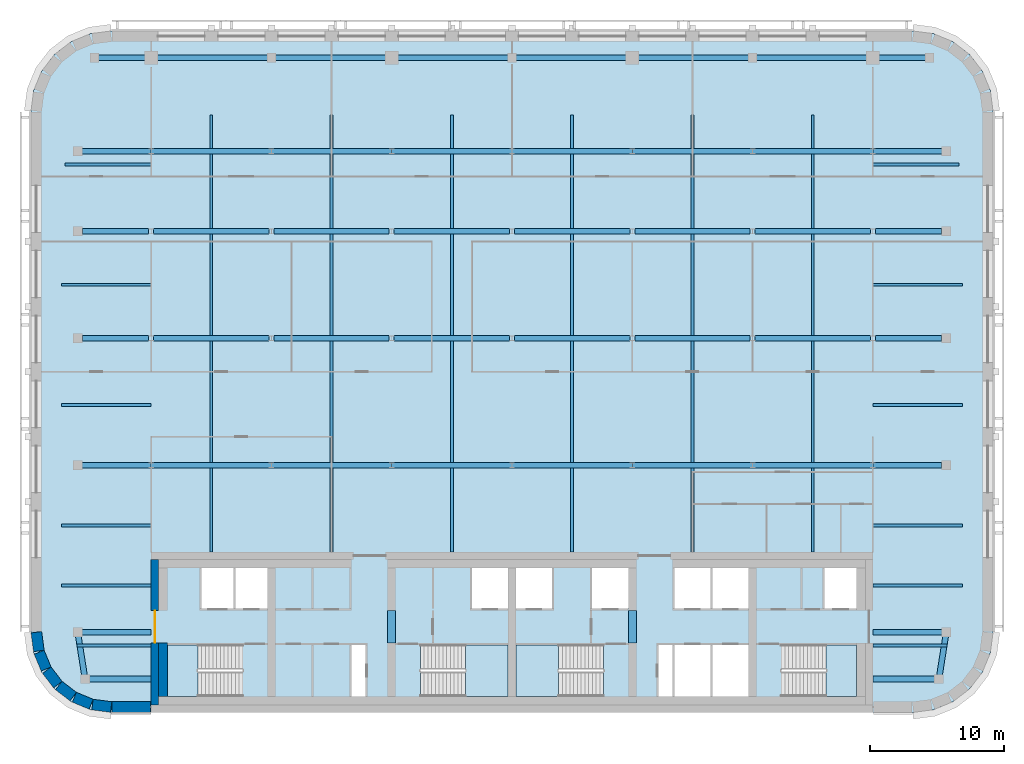
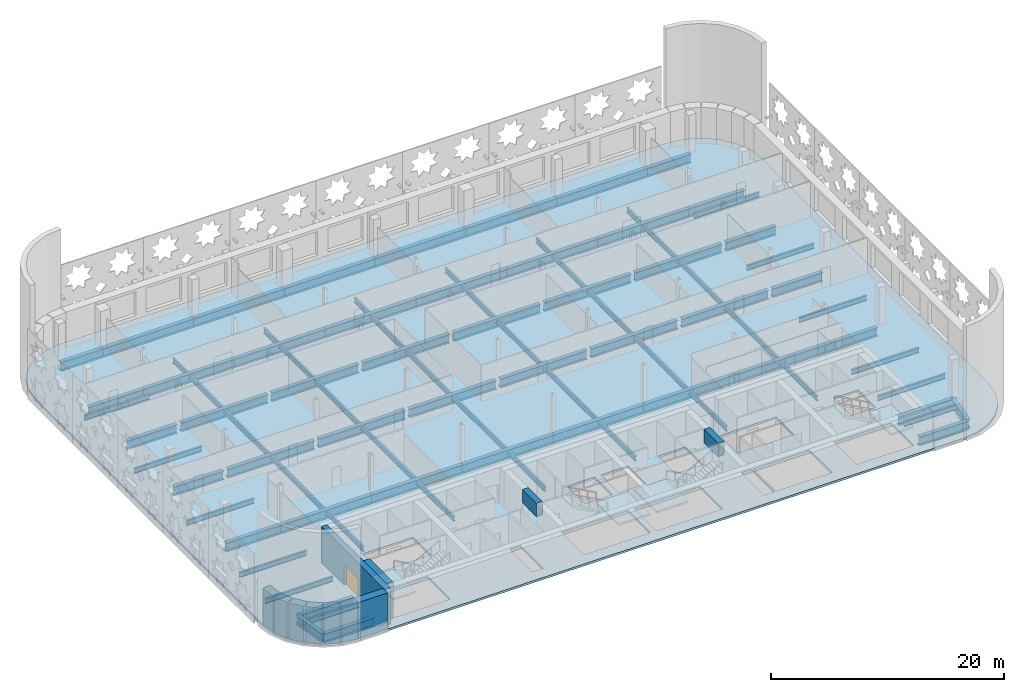
# One storey, part 5 of 16: 66 beams, 9 walls, 5 slabs, 1 door, 1 opening, 4 elements without a shape of their own.
"""IFC4 building model written with IfcOpenShell, lengths in metres."""

import ifcopenshell
import ifcopenshell.guid

model = None  # the IFC model being written
_history = None  # IfcOwnerHistory: only IFC2X3 demands one
_inside = {}  # id of a spatial element -> (the spatial element, [elements in it])
_under = {}  # id of a project, library or spatial element -> (it, [spatial elements below it])
_declared = {}  # id of a project -> (the project, [libraries it declares])
_typed = {}  # id of a type object -> (the type object, [elements of that type])
_made_of = {}  # id of a material, layer set ... -> (it, [elements and type objects made of it])


def new_model(schema):
    """Start an empty IFC model of exactly this schema.

    Asked for "IFC4X3", IfcOpenShell would pick the latest addendum, in which some entities
    have other attributes; the version numbers below select the first issue.
    IFC2X3 requires an IfcOwnerHistory on every rooted entity: one is made here for all.
    """
    global model, _history
    if schema == "IFC4X3":
        model = ifcopenshell.file(schema_version=(4, 3, 0, 0))
    else:
        model = ifcopenshell.file(schema=schema)
    _inside.clear()
    _under.clear()
    _declared.clear()
    _typed.clear()
    _made_of.clear()
    _history = None
    if model.schema == "IFC2X3":
        org = make("IfcOrganization", Name="unknown")
        user = make(
            "IfcPersonAndOrganization",
            ThePerson=make("IfcPerson", FamilyName="unknown"),
            TheOrganization=org,
        )
        app = make(
            "IfcApplication",
            ApplicationDeveloper=org,
            Version="unknown",
            ApplicationFullName="unknown",
            ApplicationIdentifier="unknown",
        )
        _history = make(
            "IfcOwnerHistory",
            OwningUser=user,
            OwningApplication=app,
            ChangeAction="ADDED",
            CreationDate=0,
        )
    return model


def make(cls, **values):
    """One entity of the class cls with the attributes given. An attribute that is None is left unset."""
    return model.create_entity(
        cls, **{name: value for name, value in values.items() if value is not None}
    )


def rooted(cls, **values):
    """An entity with a GlobalId (a new one), such as an element, a storey or a relation."""
    return make(cls, GlobalId=ifcopenshell.guid.new(), OwnerHistory=_history, **values)


def si_unit(unit_type, name, prefix=None):
    """IfcSIUnit, for example si_unit("LENGTHUNIT", "METRE", prefix="MILLI")."""
    return make("IfcSIUnit", UnitType=unit_type, Prefix=prefix, Name=name)


def assignment(units):
    """IfcUnitAssignment: the units of a project."""
    return None if units is None else make("IfcUnitAssignment", Units=units)


def point(xyz):
    """IfcCartesianPoint."""
    return None if xyz is None else make("IfcCartesianPoint", Coordinates=xyz)


def direction(xyz):
    """IfcDirection."""
    return None if xyz is None else make("IfcDirection", DirectionRatios=xyz)


def frame(location, z_axis=None, x_axis=None):
    """IfcAxis2Placement3D, a coordinate frame: its origin and axes. An axis left out is left unset."""
    return make(
        "IfcAxis2Placement3D",
        Location=point(location),
        Axis=direction(z_axis),
        RefDirection=direction(x_axis),
    )


def frame_2d(location, x_axis=None):
    """IfcAxis2Placement2D, a coordinate frame in the plane: its origin and x axis."""
    return make(
        "IfcAxis2Placement2D", Location=point(location), RefDirection=direction(x_axis)
    )


def origin():
    """The frame at (0, 0, 0) with its axes left unset."""
    return frame((0.0, 0.0, 0.0))


def origin_2d():
    """The frame at (0, 0) in the plane with its x axis left unset."""
    return frame_2d((0.0, 0.0))


def place(relative_to, where):
    """IfcLocalPlacement: puts the frame where relative to a parent placement (None: the world)."""
    return make(
        "IfcLocalPlacement", PlacementRelTo=relative_to, RelativePlacement=where
    )


def context(
    kind, dimensions, precision=None, world=None, true_north=None, identifier=None
):
    """IfcGeometricRepresentationContext, for example the 3D "Model" context."""
    return make(
        "IfcGeometricRepresentationContext",
        ContextIdentifier=identifier,
        ContextType=kind,
        CoordinateSpaceDimension=dimensions,
        Precision=precision,
        WorldCoordinateSystem=world,
        TrueNorth=true_north,
    )


def subcontext(parent, identifier, kind, view, scale=None):
    """IfcGeometricRepresentationSubContext, for example "Body" below "Model"."""
    return make(
        "IfcGeometricRepresentationSubContext",
        ContextIdentifier=identifier,
        ContextType=kind,
        ParentContext=parent,
        TargetScale=scale,
        TargetView=view,
    )


def project(units=None, contexts=None):
    """IfcProject with its units and contexts."""
    return rooted(
        "IfcProject",
        Name="project",
        RepresentationContexts=contexts,
        UnitsInContext=assignment(units),
    )


def spatial(cls, under=None, at=None, **own):
    """A site, building, storey or space (cls), placed at a placement, below another one or the project."""
    s = rooted(cls, ObjectPlacement=at, **own)
    if under is not None:
        _under.setdefault(under.id(), (under, []))[1].append(s)
    return s


def polyline(points):
    """IfcPolyline through the points."""
    return make("IfcPolyline", Points=[point(p) for p in points])


def profile(cls, at=None, kind="AREA", **sizes):
    """A parametric profile (cls). Its sizes go by their IFC names, for example OverallWidth=200.0."""
    return make(cls, ProfileType=kind, Position=at, **sizes)


def rectangle(**sizes):
    """IfcRectangleProfileDef."""
    return profile("IfcRectangleProfileDef", **sizes)


def i_section(**sizes):
    """IfcIShapeProfileDef."""
    return profile("IfcIShapeProfileDef", **sizes)


def outline(outer, holes=None, kind="AREA"):
    """IfcArbitraryClosedProfileDef: a profile drawn as a closed curve; with holes, ...WithVoids."""
    if holes is None:
        return make("IfcArbitraryClosedProfileDef", ProfileType=kind, OuterCurve=outer)
    return make(
        "IfcArbitraryProfileDefWithVoids",
        ProfileType=kind,
        OuterCurve=outer,
        InnerCurves=holes,
    )


def extrude(swept, where, along, depth):
    """IfcExtrudedAreaSolid: the profile swept, set in the frame where, extruded along a direction by depth."""
    return make(
        "IfcExtrudedAreaSolid",
        SweptArea=swept,
        Position=where,
        ExtrudedDirection=direction(along),
        Depth=depth,
    )


def shape(context_of_items, identifier, shape_type, items):
    """IfcShapeRepresentation: the items that make up one representation, for example the "Body"."""
    return make(
        "IfcShapeRepresentation",
        ContextOfItems=context_of_items,
        RepresentationIdentifier=identifier,
        RepresentationType=shape_type,
        Items=items,
    )


def material(Name=None, Category=None):
    """IfcMaterial."""
    return make("IfcMaterial", Name=Name, Category=Category)


def layer(
    of_material, thickness, ventilated=None, Name=None, Category=None, Priority=None
):
    """IfcMaterialLayer: one layer of a wall or slab, of a material (None: an air gap)."""
    return make(
        "IfcMaterialLayer",
        Material=of_material,
        LayerThickness=thickness,
        IsVentilated=ventilated,
        Name=Name,
        Category=Category,
        Priority=Priority,
    )


def layer_set(layers, Name=None):
    """IfcMaterialLayerSet."""
    return make("IfcMaterialLayerSet", MaterialLayers=layers, LayerSetName=Name)


def material_profile(
    of_material, cross_section, Name=None, Category=None, Priority=None
):
    """IfcMaterialProfile: a cross section and its material."""
    return make(
        "IfcMaterialProfile",
        Name=Name,
        Material=of_material,
        Profile=cross_section,
        Priority=Priority,
        Category=Category,
    )


def profile_set(profiles, Name=None, composite=None):
    """IfcMaterialProfileSet."""
    return make(
        "IfcMaterialProfileSet",
        Name=Name,
        MaterialProfiles=profiles,
        CompositeProfile=composite,
    )


def made_of(thing, what):
    """Note that an element or type object is made of a material, layer set ...; save() writes the relation."""
    if what is not None:
        _made_of.setdefault(what.id(), (what, []))[1].append(thing)
    return thing


def type_object(cls, material=None, **own):
    """A type object (cls), such as IfcWallType, which elements share."""
    return made_of(rooted(cls, **own), material)


def element(
    cls,
    number,
    at=None,
    inside=None,
    cuts=None,
    type_object=None,
    material=None,
    context=None,
    identifier="Body",
    shape_type=None,
    held_by="IfcProductDefinitionShape",
    body=None,
    shapes=None,
    **own,
):
    """One element of the class cls, such as IfcWall. Its Tag is "e" and its number.

    at: its placement. inside: the storey or other place that contains it. cuts: it is an
    opening in that element (IfcRelVoidsElement). A single representation is given by context,
    identifier, shape_type and body (its items); several are given by shapes. held_by: the class
    of the entity that holds the representations. save() writes the other relations.
    """
    e = rooted(cls, Tag="e%d" % number, ObjectPlacement=at, **own)
    if body is not None:
        shapes = [shape(context, identifier, shape_type, body)]
    if shapes is not None:
        e.Representation = make(held_by, Representations=shapes)
    if inside is not None:
        _inside.setdefault(inside.id(), (inside, []))[1].append(e)
    if cuts is not None:
        rooted(
            "IfcRelVoidsElement", RelatingBuildingElement=cuts, RelatedOpeningElement=e
        )
    if type_object is not None:
        _typed.setdefault(type_object.id(), (type_object, []))[1].append(e)
    return made_of(e, material)


def fill(opening, filler):
    """IfcRelFillsElement: the door or window that sits in an opening."""
    return rooted(
        "IfcRelFillsElement",
        RelatingOpeningElement=opening,
        RelatedBuildingElement=filler,
    )


def aggregate(whole, parts):
    """IfcRelAggregates: a whole, such as a stair, and the parts it consists of."""
    return rooted("IfcRelAggregates", RelatingObject=whole, RelatedObjects=parts)


def save(model, path):
    """Write the relations noted so far, then the file.

    IfcRelAggregates (storeys below a building ...), IfcRelContainedInSpatialStructure (elements
    in a storey), IfcRelDefinesByType, IfcRelAssociatesMaterial and IfcRelDeclares: one each for
    every whole, place, type object, material and project.
    """
    for whole, parts in _under.values():
        aggregate(whole, parts)
    for where, things in _inside.values():
        rooted(
            "IfcRelContainedInSpatialStructure",
            RelatedElements=things,
            RelatingStructure=where,
        )
    for kind, things in _typed.values():
        rooted("IfcRelDefinesByType", RelatedObjects=things, RelatingType=kind)
    for what, things in _made_of.values():
        rooted("IfcRelAssociatesMaterial", RelatedObjects=things, RelatingMaterial=what)
    for by, libraries in _declared.values():
        rooted("IfcRelDeclares", RelatingContext=by, RelatedDefinitions=libraries)
    model.write(path)


model = new_model("IFC4")

# Units and contexts
model_context = context("Model", 3, precision=1e-05, world=origin(), true_north=direction((0.0, 1.0)))
body_context = subcontext(model_context, "Body", "Model", "MODEL_VIEW")
ifc_project = project(units=[si_unit("LENGTHUNIT", "METRE"), si_unit("AREAUNIT", "SQUARE_METRE"), si_unit("VOLUMEUNIT", "CUBIC_METRE"), si_unit("PLANEANGLEUNIT", "RADIAN"), si_unit("MASSUNIT", "GRAM", prefix="KILO")], contexts=[model_context])

# Site, building, storey
site_placement = place(None, origin())
site = spatial("IfcSite", under=ifc_project, at=site_placement, CompositionType="ELEMENT")
building_placement = place(site_placement, origin())
building = spatial("IfcBuilding", under=site, at=building_placement, Name="Zellij Exchange Tower", CompositionType="ELEMENT")
storey_placement = place(building_placement, frame((0.0, 0.0, 272.5)))
storey = spatial("IfcBuildingStorey", under=building, at=storey_placement, Name="L64", CompositionType="ELEMENT", Elevation=272.5)

# Beams
ifc_material_1 = material(Name="Concrete C50/60", Category="concrete")
ifc_material_profile_1 = material_profile(ifc_material_1, rectangle(XDim=0.60009765625, YDim=1.3798828125, at=origin_2d()), Name="CORE-CB 600x1380 C50/60")
ifc_profile_set_1 = profile_set([ifc_material_profile_1], Name="Concrete C50/60")
beam_type_1 = type_object("IfcBeamType", Name="CORE-CB 600x1380 C50/60", PredefinedType="BEAM", material=ifc_profile_set_1)
for number, where, z_axis, x_axis, name in (
    (1, (-9.0, -8.800048828125, 3.090087890625), (0.0, 1.0, 0.0), (-1.0, 0.0, 0.0), "Core coupling beam x -9 L64"),
    (2, (9.0, -8.800048828125, 3.090087890625), (0.0, 1.0, 0.0), (-1.0, 0.0, 0.0), "Core coupling beam x 9 L64"),
):
    element("IfcBeam", number, at=place(storey_placement, frame(where, z_axis=z_axis, x_axis=x_axis)), inside=storey, type_object=beam_type_1, Name=name, PredefinedType="BEAM", context=body_context, shape_type="SweptSolid", body=[
        extrude(rectangle(XDim=0.60009765625, YDim=1.3798828125, at=origin_2d()), origin(), (0.0, 0.0, 1.0), 2.425048828125),
    ])
ifc_material_2 = material(Name="Structural steel ASTM A992 Gr 50", Category="steel")
ifc_material_profile_2 = material_profile(ifc_material_2, i_section(OverallWidth=0.209228515625, OverallDepth=0.533447265625, WebThickness=0.01025390625, FlangeThickness=0.015625, at=origin_2d()), Name="W21x62")
ifc_profile_set_2 = profile_set([ifc_material_profile_2], Name="Structural steel ASTM A992 Gr 50")
beam_type_2 = type_object("IfcBeamType", Name="STR-BEAM W21x62", PredefinedType="BEAM", material=ifc_profile_set_2)
for number, where, z_axis, x_axis, name in (
    (3, (-22.5, -2.0, -0.48681640625), (0.0, 1.0, 0.0), (-1.0, 0.0, 0.0), "B3"),
    (4, (-13.5, -2.0, -0.48681640625), (0.0, 1.0, 0.0), (-1.0, 0.0, 0.0), "B3"),
    (5, (-4.5, -2.0, -0.48681640625), (0.0, 1.0, 0.0), (-1.0, 0.0, 0.0), "B3"),
    (6, (4.5, -2.0, -0.48681640625), (0.0, 1.0, 0.0), (-1.0, 0.0, 0.0), "B3"),
    (7, (13.5, -2.0, -0.48681640625), (0.0, 1.0, 0.0), (-1.0, 0.0, 0.0), "B3"),
    (8, (22.5, -2.0, -0.48681640625), (0.0, 1.0, 0.0), (-1.0, 0.0, 0.0), "B3"),
):
    element("IfcBeam", number, at=place(storey_placement, frame(where, z_axis=z_axis, x_axis=x_axis)), inside=storey, type_object=beam_type_2, Name=name, PredefinedType="BEAM", context=body_context, shape_type="SweptSolid", body=[
        extrude(i_section(OverallWidth=0.209228515625, OverallDepth=0.533447265625, WebThickness=0.01025390625, FlangeThickness=0.015625, at=origin_2d()), origin(), (0.0, 0.0, 1.0), 32.699951171875),
    ])
beam_1_placement = place(storey_placement, frame((-32.5576171875, -9.0, -0.48681640625), z_axis=(1.0, 0.0, 0.0), x_axis=(0.0, 1.0, 0.0)))
element("IfcBeam", 9, at=beam_1_placement, inside=storey, type_object=beam_type_2, Name="B3", PredefinedType="BEAM", context=body_context, shape_type="SweptSolid", body=[
    extrude(i_section(OverallWidth=0.209228515625, OverallDepth=0.533447265625, WebThickness=0.01025390625, FlangeThickness=0.015625, at=origin_2d()), origin(), (0.0, 0.0, 1.0), 5.5576171875),
])
for number, where, z_axis, x_axis, name in (
    (10, (-33.699951171875, -4.5, -0.48681640625), (1.0, 0.0, 0.0), (0.0, 1.0, 0.0), "B3"),
    (11, (-33.699951171875, 0.0, -0.48681640625), (1.0, 0.0, 0.0), (0.0, 1.0, 0.0), "B3"),
    (12, (-33.699951171875, 9.0, -0.48681640625), (1.0, 0.0, 0.0), (0.0, 1.0, 0.0), "B3"),
    (13, (-33.699951171875, 18.0, -0.48681640625), (1.0, 0.0, 0.0), (0.0, 1.0, 0.0), "B3"),
):
    element("IfcBeam", number, at=place(storey_placement, frame(where, z_axis=z_axis, x_axis=x_axis)), inside=storey, type_object=beam_type_2, Name=name, PredefinedType="BEAM", context=body_context, shape_type="SweptSolid", body=[
        extrude(i_section(OverallWidth=0.209228515625, OverallDepth=0.533447265625, WebThickness=0.01025390625, FlangeThickness=0.015625, at=origin_2d()), origin(), (0.0, 0.0, 1.0), 6.699951171875),
    ])
beam_2_placement = place(storey_placement, frame((-33.451904296875, 27.0, -0.48681640625), z_axis=(1.0, 0.0, 0.0), x_axis=(0.0, 1.0, 0.0)))
element("IfcBeam", 14, at=beam_2_placement, inside=storey, type_object=beam_type_2, Name="B3", PredefinedType="BEAM", context=body_context, shape_type="SweptSolid", body=[
    extrude(i_section(OverallWidth=0.209228515625, OverallDepth=0.533447265625, WebThickness=0.01025390625, FlangeThickness=0.015625, at=origin_2d()), origin(), (0.0, 0.0, 1.0), 6.451904296875),
])
beam_3_placement = place(storey_placement, frame((27.0, -9.0, -0.48681640625), z_axis=(1.0, 0.0, 0.0), x_axis=(0.0, 1.0, 0.0)))
element("IfcBeam", 15, at=beam_3_placement, inside=storey, type_object=beam_type_2, Name="B3", PredefinedType="BEAM", context=body_context, shape_type="SweptSolid", body=[
    extrude(i_section(OverallWidth=0.209228515625, OverallDepth=0.533447265625, WebThickness=0.01025390625, FlangeThickness=0.015625, at=origin_2d()), origin(), (0.0, 0.0, 1.0), 5.5576171875),
])
for number, where, z_axis, x_axis, name in (
    (16, (27.0, -4.5, -0.48681640625), (1.0, 0.0, 0.0), (0.0, 1.0, 0.0), "B3"),
    (17, (27.0, 0.0, -0.48681640625), (1.0, 0.0, 0.0), (0.0, 1.0, 0.0), "B3"),
    (18, (27.0, 9.0, -0.48681640625), (1.0, 0.0, 0.0), (0.0, 1.0, 0.0), "B3"),
    (19, (27.0, 18.0, -0.48681640625), (1.0, 0.0, 0.0), (0.0, 1.0, 0.0), "B3"),
):
    element("IfcBeam", number, at=place(storey_placement, frame(where, z_axis=z_axis, x_axis=x_axis)), inside=storey, type_object=beam_type_2, Name=name, PredefinedType="BEAM", context=body_context, shape_type="SweptSolid", body=[
        extrude(i_section(OverallWidth=0.209228515625, OverallDepth=0.533447265625, WebThickness=0.01025390625, FlangeThickness=0.015625, at=origin_2d()), origin(), (0.0, 0.0, 1.0), 6.699951171875),
    ])
beam_4_placement = place(storey_placement, frame((27.0, 27.0, -0.48681640625), z_axis=(1.0, 0.0, 0.0), x_axis=(0.0, 1.0, 0.0)))
element("IfcBeam", 20, at=beam_4_placement, inside=storey, type_object=beam_type_2, Name="B3", PredefinedType="BEAM", context=body_context, shape_type="SweptSolid", body=[
    extrude(i_section(OverallWidth=0.209228515625, OverallDepth=0.533447265625, WebThickness=0.01025390625, FlangeThickness=0.015625, at=origin_2d()), origin(), (0.0, 0.0, 1.0), 6.451904296875),
])
ifc_material_3 = material(Name="Structural steel ASTM A913 Gr 65", Category="steel")
ifc_material_profile_3 = material_profile(ifc_material_3, i_section(OverallWidth=0.424072265625, OverallDepth=0.93212890625, WebThickness=0.02392578125, FlangeThickness=0.042724609375, at=origin_2d()), Name="W36x300")
ifc_profile_set_3 = profile_set([ifc_material_profile_3], Name="Structural steel ASTM A913 Gr 65")
beam_type_3 = type_object("IfcBeamType", Name="STR-EDGE GIRDER W36x300", PredefinedType="BEAM", material=ifc_profile_set_3)
for number, where, z_axis, x_axis, name in (
    (21, (-31.949951171875, -11.5, -0.68603515625), (-0.155251283593, 0.987875011802, 0.0), (-0.987875011802, -0.155251283593, 0.0), "EG5"),
    (22, (31.949951171875, -11.5, -0.68603515625), (0.155251283593, 0.987875011802, 0.0), (-0.987875011802, 0.155251283593, 0.0), "EG5"),
):
    element("IfcBeam", number, at=place(storey_placement, frame(where, z_axis=z_axis, x_axis=x_axis)), inside=storey, type_object=beam_type_3, Name=name, PredefinedType="BEAM", context=body_context, shape_type="SweptSolid", body=[
        extrude(i_section(OverallWidth=0.424072265625, OverallDepth=0.93212890625, WebThickness=0.02392578125, FlangeThickness=0.042724609375, at=origin_2d()), origin(), (0.0, 0.0, 1.0), 3.54296875),
    ])
ifc_material_profile_4 = material_profile(ifc_material_3, i_section(OverallWidth=0.424072265625, OverallDepth=0.93212890625, WebThickness=0.02392578125, FlangeThickness=0.042724609375, at=origin_2d()), Name="W36x300")
ifc_profile_set_4 = profile_set([ifc_material_profile_4], Name="Structural steel ASTM A913 Gr 65")
beam_type_4 = type_object("IfcBeamType", Name="STR-GIRDER W36x300", PredefinedType="BEAM", material=ifc_profile_set_4)
for number, where, z_axis, x_axis, name in (
    (23, (-31.949951171875, -11.5, -0.68603515625), (1.0, 0.0, 0.0), (0.0, 1.0, 0.0), "G5"),
    (24, (27.0, -11.5, -0.68603515625), (1.0, 0.0, 0.0), (0.0, 1.0, 0.0), "G5"),
):
    element("IfcBeam", number, at=place(storey_placement, frame(where, z_axis=z_axis, x_axis=x_axis)), inside=storey, type_object=beam_type_4, Name=name, PredefinedType="BEAM", context=body_context, shape_type="SweptSolid", body=[
        extrude(i_section(OverallWidth=0.424072265625, OverallDepth=0.93212890625, WebThickness=0.02392578125, FlangeThickness=0.042724609375, at=origin_2d()), origin(), (0.0, 0.0, 1.0), 4.949951171875),
    ])
for number, where, z_axis, x_axis, name in (
    (25, (-32.5, -8.0, -0.68603515625), (1.0, 0.0, 0.0), (0.0, 1.0, 0.0), "G5"),
    (26, (27.0, -8.0, -0.68603515625), (1.0, 0.0, 0.0), (0.0, 1.0, 0.0), "G5"),
    (27, (-32.5, 4.5, -0.68603515625), (1.0, 0.0, 0.0), (0.0, 1.0, 0.0), "G5"),
):
    element("IfcBeam", number, at=place(storey_placement, frame(where, z_axis=z_axis, x_axis=x_axis)), inside=storey, type_object=beam_type_4, Name=name, PredefinedType="BEAM", context=body_context, shape_type="SweptSolid", body=[
        extrude(i_section(OverallWidth=0.424072265625, OverallDepth=0.93212890625, WebThickness=0.02392578125, FlangeThickness=0.042724609375, at=origin_2d()), origin(), (0.0, 0.0, 1.0), 5.5),
    ])
for number, where, z_axis, x_axis, name in (
    (28, (-27.0, 4.5, -0.68603515625), (1.0, 0.0, 0.0), (0.0, 1.0, 0.0), "G5"),
    (29, (-18.0, 4.5, -0.68603515625), (1.0, 0.0, 0.0), (0.0, 1.0, 0.0), "G5"),
    (30, (-9.0, 4.5, -0.68603515625), (1.0, 0.0, 0.0), (0.0, 1.0, 0.0), "G5"),
    (31, (0.0, 4.5, -0.68603515625), (1.0, 0.0, 0.0), (0.0, 1.0, 0.0), "G5"),
    (32, (9.0, 4.5, -0.68603515625), (1.0, 0.0, 0.0), (0.0, 1.0, 0.0), "G5"),
    (33, (18.0, 4.5, -0.68603515625), (1.0, 0.0, 0.0), (0.0, 1.0, 0.0), "G5"),
):
    element("IfcBeam", number, at=place(storey_placement, frame(where, z_axis=z_axis, x_axis=x_axis)), inside=storey, type_object=beam_type_4, Name=name, PredefinedType="BEAM", context=body_context, shape_type="SweptSolid", body=[
        extrude(i_section(OverallWidth=0.424072265625, OverallDepth=0.93212890625, WebThickness=0.02392578125, FlangeThickness=0.042724609375, at=origin_2d()), origin(), (0.0, 0.0, 1.0), 9.0),
    ])
beam_5_placement = place(storey_placement, frame((27.0, 4.5, -0.68603515625), z_axis=(1.0, 0.0, 0.0), x_axis=(0.0, 1.0, 0.0)))
element("IfcBeam", 34, at=beam_5_placement, inside=storey, type_object=beam_type_4, Name="G5", PredefinedType="BEAM", context=body_context, shape_type="SweptSolid", body=[
    extrude(i_section(OverallWidth=0.424072265625, OverallDepth=0.93212890625, WebThickness=0.02392578125, FlangeThickness=0.042724609375, at=origin_2d()), origin(), (0.0, 0.0, 1.0), 5.14990234375),
])
beam_6_placement = place(storey_placement, frame((-32.14990234375, 14.0, -0.68603515625), z_axis=(1.0, 0.0, 0.0), x_axis=(0.0, 1.0, 0.0)))
element("IfcBeam", 35, at=beam_6_placement, inside=storey, type_object=beam_type_4, Name="G5", PredefinedType="BEAM", context=body_context, shape_type="SweptSolid", body=[
    extrude(i_section(OverallWidth=0.424072265625, OverallDepth=0.93212890625, WebThickness=0.02392578125, FlangeThickness=0.042724609375, at=origin_2d()), origin(), (0.0, 0.0, 1.0), 4.963134765625),
])
for number, where, z_axis, x_axis, name in (
    (36, (-26.813232421875, 14.0, -0.68603515625), (1.0, 0.0, 0.0), (0.0, 1.0, 0.0), "G5"),
    (37, (-17.813232421875, 14.0, -0.68603515625), (1.0, 0.0, 0.0), (0.0, 1.0, 0.0), "G5"),
    (38, (-8.813232421875, 14.0, -0.68603515625), (1.0, 0.0, 0.0), (0.0, 1.0, 0.0), "G5"),
    (39, (0.186767578125, 14.0, -0.68603515625), (1.0, 0.0, 0.0), (0.0, 1.0, 0.0), "G5"),
    (40, (9.186767578125, 14.0, -0.68603515625), (1.0, 0.0, 0.0), (0.0, 1.0, 0.0), "G5"),
    (41, (18.186767578125, 14.0, -0.68603515625), (1.0, 0.0, 0.0), (0.0, 1.0, 0.0), "G5"),
):
    element("IfcBeam", number, at=place(storey_placement, frame(where, z_axis=z_axis, x_axis=x_axis)), inside=storey, type_object=beam_type_4, Name=name, PredefinedType="BEAM", context=body_context, shape_type="SweptSolid", body=[
        extrude(i_section(OverallWidth=0.424072265625, OverallDepth=0.93212890625, WebThickness=0.02392578125, FlangeThickness=0.042724609375, at=origin_2d()), origin(), (0.0, 0.0, 1.0), 8.62646484375),
    ])
for number, where, z_axis, x_axis, name in (
    (42, (27.186767578125, 14.0, -0.68603515625), (1.0, 0.0, 0.0), (0.0, 1.0, 0.0), "G5"),
    (43, (-32.14990234375, 22.0, -0.68603515625), (1.0, 0.0, 0.0), (0.0, 1.0, 0.0), "G5"),
):
    element("IfcBeam", number, at=place(storey_placement, frame(where, z_axis=z_axis, x_axis=x_axis)), inside=storey, type_object=beam_type_4, Name=name, PredefinedType="BEAM", context=body_context, shape_type="SweptSolid", body=[
        extrude(i_section(OverallWidth=0.424072265625, OverallDepth=0.93212890625, WebThickness=0.02392578125, FlangeThickness=0.042724609375, at=origin_2d()), origin(), (0.0, 0.0, 1.0), 4.963134765625),
    ])
for number, where, z_axis, x_axis, name in (
    (44, (-26.813232421875, 22.0, -0.68603515625), (1.0, 0.0, 0.0), (0.0, 1.0, 0.0), "G5"),
    (45, (-17.813232421875, 22.0, -0.68603515625), (1.0, 0.0, 0.0), (0.0, 1.0, 0.0), "G5"),
    (46, (-8.813232421875, 22.0, -0.68603515625), (1.0, 0.0, 0.0), (0.0, 1.0, 0.0), "G5"),
    (47, (0.186767578125, 22.0, -0.68603515625), (1.0, 0.0, 0.0), (0.0, 1.0, 0.0), "G5"),
    (48, (9.186767578125, 22.0, -0.68603515625), (1.0, 0.0, 0.0), (0.0, 1.0, 0.0), "G5"),
    (49, (18.186767578125, 22.0, -0.68603515625), (1.0, 0.0, 0.0), (0.0, 1.0, 0.0), "G5"),
):
    element("IfcBeam", number, at=place(storey_placement, frame(where, z_axis=z_axis, x_axis=x_axis)), inside=storey, type_object=beam_type_4, Name=name, PredefinedType="BEAM", context=body_context, shape_type="SweptSolid", body=[
        extrude(i_section(OverallWidth=0.424072265625, OverallDepth=0.93212890625, WebThickness=0.02392578125, FlangeThickness=0.042724609375, at=origin_2d()), origin(), (0.0, 0.0, 1.0), 8.62646484375),
    ])
beam_7_placement = place(storey_placement, frame((27.186767578125, 22.0, -0.68603515625), z_axis=(1.0, 0.0, 0.0), x_axis=(0.0, 1.0, 0.0)))
element("IfcBeam", 50, at=beam_7_placement, inside=storey, type_object=beam_type_4, Name="G5", PredefinedType="BEAM", context=body_context, shape_type="SweptSolid", body=[
    extrude(i_section(OverallWidth=0.424072265625, OverallDepth=0.93212890625, WebThickness=0.02392578125, FlangeThickness=0.042724609375, at=origin_2d()), origin(), (0.0, 0.0, 1.0), 4.963134765625),
])
beam_8_placement = place(storey_placement, frame((-32.5, 28.0, -0.68603515625), z_axis=(1.0, 0.0, 0.0), x_axis=(0.0, 1.0, 0.0)))
element("IfcBeam", 51, at=beam_8_placement, inside=storey, type_object=beam_type_4, Name="G5", PredefinedType="BEAM", context=body_context, shape_type="SweptSolid", body=[
    extrude(i_section(OverallWidth=0.424072265625, OverallDepth=0.93212890625, WebThickness=0.02392578125, FlangeThickness=0.042724609375, at=origin_2d()), origin(), (0.0, 0.0, 1.0), 5.5),
])
for number, where, z_axis, x_axis, name in (
    (52, (-27.0, 28.0, -0.68603515625), (1.0, 0.0, 0.0), (0.0, 1.0, 0.0), "G5"),
    (53, (-18.0, 28.0, -0.68603515625), (1.0, 0.0, 0.0), (0.0, 1.0, 0.0), "G5"),
    (54, (-9.0, 28.0, -0.68603515625), (1.0, 0.0, 0.0), (0.0, 1.0, 0.0), "G5"),
    (55, (0.0, 28.0, -0.68603515625), (1.0, 0.0, 0.0), (0.0, 1.0, 0.0), "G5"),
    (56, (9.0, 28.0, -0.68603515625), (1.0, 0.0, 0.0), (0.0, 1.0, 0.0), "G5"),
    (57, (18.0, 28.0, -0.68603515625), (1.0, 0.0, 0.0), (0.0, 1.0, 0.0), "G5"),
):
    element("IfcBeam", number, at=place(storey_placement, frame(where, z_axis=z_axis, x_axis=x_axis)), inside=storey, type_object=beam_type_4, Name=name, PredefinedType="BEAM", context=body_context, shape_type="SweptSolid", body=[
        extrude(i_section(OverallWidth=0.424072265625, OverallDepth=0.93212890625, WebThickness=0.02392578125, FlangeThickness=0.042724609375, at=origin_2d()), origin(), (0.0, 0.0, 1.0), 9.0),
    ])
beam_9_placement = place(storey_placement, frame((27.0, 28.0, -0.68603515625), z_axis=(1.0, 0.0, 0.0), x_axis=(0.0, 1.0, 0.0)))
element("IfcBeam", 58, at=beam_9_placement, inside=storey, type_object=beam_type_4, Name="G5", PredefinedType="BEAM", context=body_context, shape_type="SweptSolid", body=[
    extrude(i_section(OverallWidth=0.424072265625, OverallDepth=0.93212890625, WebThickness=0.02392578125, FlangeThickness=0.042724609375, at=origin_2d()), origin(), (0.0, 0.0, 1.0), 5.5),
])
beam_10_placement = place(storey_placement, frame((-31.25, 35.0, -0.68603515625), z_axis=(1.0, 0.0, 0.0), x_axis=(0.0, 1.0, 0.0)))
element("IfcBeam", 59, at=beam_10_placement, inside=storey, type_object=beam_type_4, Name="G5", PredefinedType="BEAM", context=body_context, shape_type="SweptSolid", body=[
    extrude(i_section(OverallWidth=0.424072265625, OverallDepth=0.93212890625, WebThickness=0.02392578125, FlangeThickness=0.042724609375, at=origin_2d()), origin(), (0.0, 0.0, 1.0), 4.25),
])
for number, where, z_axis, x_axis, name in (
    (60, (-27.0, 35.0, -0.68603515625), (1.0, 0.0, 0.0), (0.0, 1.0, 0.0), "G5"),
    (61, (-18.0, 35.0, -0.68603515625), (1.0, 0.0, 0.0), (0.0, 1.0, 0.0), "G5"),
    (62, (-9.0, 35.0, -0.68603515625), (1.0, 0.0, 0.0), (0.0, 1.0, 0.0), "G5"),
    (63, (0.0, 35.0, -0.68603515625), (1.0, 0.0, 0.0), (0.0, 1.0, 0.0), "G5"),
    (64, (9.0, 35.0, -0.68603515625), (1.0, 0.0, 0.0), (0.0, 1.0, 0.0), "G5"),
    (65, (18.0, 35.0, -0.68603515625), (1.0, 0.0, 0.0), (0.0, 1.0, 0.0), "G5"),
):
    element("IfcBeam", number, at=place(storey_placement, frame(where, z_axis=z_axis, x_axis=x_axis)), inside=storey, type_object=beam_type_4, Name=name, PredefinedType="BEAM", context=body_context, shape_type="SweptSolid", body=[
        extrude(i_section(OverallWidth=0.424072265625, OverallDepth=0.93212890625, WebThickness=0.02392578125, FlangeThickness=0.042724609375, at=origin_2d()), origin(), (0.0, 0.0, 1.0), 9.0),
    ])
beam_11_placement = place(storey_placement, frame((27.0, 35.0, -0.68603515625), z_axis=(1.0, 0.0, 0.0), x_axis=(0.0, 1.0, 0.0)))
element("IfcBeam", 66, at=beam_11_placement, inside=storey, type_object=beam_type_4, Name="G5", PredefinedType="BEAM", context=body_context, shape_type="SweptSolid", body=[
    extrude(i_section(OverallWidth=0.424072265625, OverallDepth=0.93212890625, WebThickness=0.02392578125, FlangeThickness=0.042724609375, at=origin_2d()), origin(), (0.0, 0.0, 1.0), 4.25),
])

# Stair, slab
ifc_material_4 = material(Name="Concrete C40/50", Category="concrete")
stair_type = type_object("IfcStairType", Name="CORE-ST exit stair 1850 wide", PredefinedType="HALF_TURN_STAIR", material=ifc_material_4)
stair_1_placement = place(storey_placement, origin())
stair_1 = element("IfcStair", 67, at=stair_1_placement, inside=storey, type_object=stair_type, Name="L64 exit stair ST1", PredefinedType="HALF_TURN_STAIR")
ifc_layer_1 = layer(ifc_material_4, 0.199951171875)
ifc_layer_set_1 = layer_set([ifc_layer_1], Name="Concrete C40/50")
slab_type_1 = type_object("IfcSlabType", Name="CORE-SL stair landing 200", PredefinedType="LANDING", material=ifc_layer_set_1)
slab_1_placement = place(storey_placement, frame((0.0, 0.0, 1.800048828125)))
slab_1 = element("IfcSlab", 68, at=slab_1_placement, type_object=slab_type_1, Name="ST1 landing 1", PredefinedType="LANDING", context=body_context, shape_type="SweptSolid", body=[
    extrude(outline(polyline([(-23.510009765625, -8.949951171875), (-25.800048828125, -8.949951171875), (-25.800048828125, -12.800048828125), (-23.510009765625, -12.800048828125), (-23.510009765625, -8.949951171875)])), origin(), (0.0, 0.0, 1.0), 0.199951171875),
])
aggregate(stair_1, [slab_1])

stair_2_placement = place(storey_placement, origin())
stair_2 = element("IfcStair", 69, at=stair_2_placement, inside=storey, type_object=stair_type, Name="L64 exit stair ST2", PredefinedType="HALF_TURN_STAIR")
slab_2_placement = place(storey_placement, frame((0.0, 0.0, 1.800048828125)))
slab_2 = element("IfcSlab", 70, at=slab_2_placement, type_object=slab_type_1, Name="ST2 landing 1", PredefinedType="LANDING", context=body_context, shape_type="SweptSolid", body=[
    extrude(outline(polyline([(-3.489990234375, -12.800048828125), (-0.300048828125, -12.800048828125), (-0.300048828125, -8.949951171875), (-3.489990234375, -8.949951171875), (-3.489990234375, -12.800048828125)])), origin(), (0.0, 0.0, 1.0), 0.199951171875),
])
aggregate(stair_2, [slab_2])

stair_3_placement = place(storey_placement, origin())
stair_3 = element("IfcStair", 71, at=stair_3_placement, inside=storey, type_object=stair_type, Name="L64 exit stair ST3", PredefinedType="HALF_TURN_STAIR")
slab_3_placement = place(storey_placement, frame((0.0, 0.0, 1.800048828125)))
slab_3 = element("IfcSlab", 72, at=slab_3_placement, type_object=slab_type_1, Name="ST3 landing 1", PredefinedType="LANDING", context=body_context, shape_type="SweptSolid", body=[
    extrude(outline(polyline([(3.489990234375, -8.949951171875), (0.300048828125, -8.949951171875), (0.300048828125, -12.800048828125), (3.489990234375, -12.800048828125), (3.489990234375, -8.949951171875)])), origin(), (0.0, 0.0, 1.0), 0.199951171875),
])
aggregate(stair_3, [slab_3])

stair_4_placement = place(storey_placement, origin())
stair_4 = element("IfcStair", 73, at=stair_4_placement, inside=storey, type_object=stair_type, Name="L64 exit stair ST4", PredefinedType="HALF_TURN_STAIR")
slab_4_placement = place(storey_placement, frame((0.0, 0.0, 1.800048828125)))
slab_4 = element("IfcSlab", 74, at=slab_4_placement, type_object=slab_type_1, Name="ST4 landing 1", PredefinedType="LANDING", context=body_context, shape_type="SweptSolid", body=[
    extrude(outline(polyline([(23.510009765625, -12.800048828125), (25.800048828125, -12.800048828125), (25.800048828125, -8.949951171875), (23.510009765625, -8.949951171875), (23.510009765625, -12.800048828125)])), origin(), (0.0, 0.0, 1.0), 0.199951171875),
])
aggregate(stair_4, [slab_4])

# Slab
ifc_layer_2 = layer(ifc_material_4, 0.219970703125)
ifc_layer_set_2 = layer_set([ifc_layer_2], Name="Concrete C40/50")
slab_type_2 = type_object("IfcSlabType", Name="STR-FLOOR SLAB 220 C40/50", PredefinedType="FLOOR", material=ifc_layer_set_2)
slab_5_placement = place(storey_placement, frame((0.0, 0.0, -0.22021484375)))
element("IfcSlab", 75, at=slab_5_placement, inside=storey, type_object=slab_type_2, Name="Floor L64", PredefinedType="FLOOR", context=body_context, shape_type="SweptSolid", body=[
    extrude(outline(polyline([(-30.0, -14.0), (-31.552978515625, -13.795654296875), (-33.0, -13.1962890625), (-34.24267578125, -12.24267578125), (-35.1962890625, -11.0), (-35.795654296875, -9.552978515625), (-36.0, -8.0), (-36.0, 31.0), (-35.795654296875, 32.552978515625), (-35.1962890625, 34.0), (-34.24267578125, 35.24267578125), (-33.0, 36.1962890625), (-31.552978515625, 36.795654296875), (-30.0, 37.0), (30.0, 37.0), (31.552978515625, 36.795654296875), (33.0, 36.1962890625), (34.24267578125, 35.24267578125), (35.1962890625, 34.0), (35.795654296875, 32.552978515625), (36.0, 31.0), (36.0, -8.0), (35.795654296875, -9.552978515625), (35.1962890625, -11.0), (34.24267578125, -12.24267578125), (33.0, -13.1962890625), (31.552978515625, -13.795654296875), (30.0, -14.0), (-30.0, -14.0)]), holes=[polyline([(-25.800048828125, -8.949951171875), (-25.800048828125, -12.800048828125), (-20.153076171875, -12.800048828125), (-20.153076171875, -8.949951171875), (-25.800048828125, -8.949951171875)]), polyline([(-10.949951171875, -8.949951171875), (-12.0, -8.949951171875), (-12.0, -12.800048828125), (-10.949951171875, -12.800048828125), (-10.949951171875, -8.949951171875)]), polyline([(-0.300048828125, -8.949951171875), (-6.846923828125, -8.949951171875), (-6.846923828125, -12.800048828125), (-0.300048828125, -12.800048828125), (-0.300048828125, -8.949951171875)]), polyline([(0.300048828125, -8.949951171875), (0.300048828125, -12.800048828125), (6.846923828125, -12.800048828125), (6.846923828125, -8.949951171875), (0.300048828125, -8.949951171875)]), polyline([(-18.300048828125, -3.199951171875), (-23.25, -3.199951171875), (-23.25, -6.22509765625), (-18.300048828125, -6.22509765625), (-18.300048828125, -3.199951171875)]), polyline([(-0.300048828125, -3.199951171875), (-3.0, -3.199951171875), (-3.0, -6.22509765625), (-0.300048828125, -6.22509765625), (-0.300048828125, -3.199951171875)]), polyline([(0.300048828125, -3.199951171875), (0.300048828125, -6.22509765625), (3.0, -6.22509765625), (3.0, -3.199951171875), (0.300048828125, -3.199951171875)]), polyline([(12.0, -8.949951171875), (10.949951171875, -8.949951171875), (10.949951171875, -12.800048828125), (12.0, -12.800048828125), (12.0, -8.949951171875)]), polyline([(17.699951171875, -8.949951171875), (12.14990234375, -8.949951171875), (12.14990234375, -12.800048828125), (17.699951171875, -12.800048828125), (17.699951171875, -8.949951171875)]), polyline([(25.800048828125, -8.949951171875), (20.153076171875, -8.949951171875), (20.153076171875, -12.800048828125), (25.800048828125, -12.800048828125), (25.800048828125, -8.949951171875)]), polyline([(8.699951171875, -3.199951171875), (6.0, -3.199951171875), (6.0, -6.22509765625), (8.699951171875, -6.22509765625), (8.699951171875, -3.199951171875)]), polyline([(17.699951171875, -3.199951171875), (12.14990234375, -3.199951171875), (12.14990234375, -6.22509765625), (17.699951171875, -6.22509765625), (17.699951171875, -3.199951171875)]), polyline([(25.800048828125, -3.199951171875), (23.39990234375, -3.199951171875), (23.39990234375, -6.22509765625), (25.800048828125, -6.22509765625), (25.800048828125, -3.199951171875)])]), origin(), (0.0, 0.0, 1.0), 0.22021484375),
])

# Wall
ifc_material_5 = material(Name="Concrete C30/37", Category="concrete")
ifc_layer_3 = layer(ifc_material_5, 0.64990234375)
ifc_layer_set_3 = layer_set([ifc_layer_3], Name="Concrete C30/37")
wall_type_1 = type_object("IfcWallType", Name="CORE-LW 650 C30/37", PredefinedType="SHEAR", material=ifc_layer_set_3)
wall_1_placement = place(storey_placement, frame((-26.125, -12.800048828125, 0.0), z_axis=(0.0, 0.0, 1.0), x_axis=(0.0, 1.0, 0.0)))
element("IfcWall", 76, at=wall_1_placement, inside=storey, type_object=wall_type_1, Name="Core wall lining end w.0 L64", PredefinedType="SHEAR", context=body_context, shape_type="SweptSolid", body=[
    extrude(rectangle(XDim=4.0, YDim=0.64990234375, at=frame_2d((2.0, 0.0))), origin(), (0.0, 0.0, 1.0), 3.780029296875),
])

# Wall, opening, door
ifc_layer_4 = layer(ifc_material_1, 0.550048828125)
ifc_layer_set_4 = layer_set([ifc_layer_4], Name="Concrete C50/60")
wall_type_2 = type_object("IfcWallType", Name="CORE-SW 550 C50/60", PredefinedType="SHEAR", material=ifc_layer_set_4)
wall_2_placement = place(storey_placement, frame((-26.72509765625, -13.449951171875, 0.0), z_axis=(0.0, 0.0, 1.0), x_axis=(0.0, 1.0, 0.0)))
wall_2 = element("IfcWall", 77, at=wall_2_placement, inside=storey, type_object=wall_type_2, Name="Core shear wall end w L64", PredefinedType="SHEAR", context=body_context, shape_type="SweptSolid", body=[
    extrude(rectangle(XDim=10.89990234375, YDim=0.550048828125, at=frame_2d((5.449951171875, 0.0))), origin(), (0.0, 0.0, 1.0), 3.780029296875),
])
opening_placement = place(wall_2_placement, frame((4.662109375, 0.0, 0.0)))
opening = element("IfcOpeningElement", 78, at=opening_placement, cuts=wall_2, Name="Opening CA-34.01", PredefinedType="OPENING", context=body_context, shape_type="SweptSolid", body=[
    extrude(rectangle(XDim=2.39990234375, YDim=2.10009765625, at=frame_2d((1.199951171875, 1.050048828125))), frame((0.0, 0.287109375, 0.0), z_axis=(0.0, -1.0, 0.0), x_axis=(1.0, 0.0, 0.0)), (0.0, 0.0, 1.0), 0.573974609375),
])
ifc_material_6 = material(Name="Hollow metal fire door")
door_type = type_object("IfcDoorType", Name="CORE-D CE Core entrance door 2400x2100 20 MIN", OperationType="NOTDEFINED", PredefinedType="DOOR", material=ifc_material_6)
door_placement = place(opening_placement, origin())
door = element("IfcDoor", 79, at=door_placement, inside=storey, type_object=door_type, Name="Core entrance door CA-34.01", OperationType="DOUBLE_DOOR_SINGLE_SWING", OverallHeight=2.10009765625, OverallWidth=2.39990234375, PredefinedType="DOOR", context=body_context, shape_type="SweptSolid", body=[
    extrude(rectangle(XDim=2.39990234375, YDim=2.10009765625, at=frame_2d((1.199951171875, 1.050048828125))), frame((0.0, 0.02490234375, 0.0), z_axis=(0.0, -1.0, 0.0), x_axis=(1.0, 0.0, 0.0)), (0.0, 0.0, 1.0), 0.050048828125),
])
fill(opening, door)

# Walls
ifc_material_7 = material(Name="Precast concrete C40/50", Category="concrete")
ifc_layer_5 = layer(ifc_material_7, 0.800048828125)
ifc_layer_set_5 = layer_set([ifc_layer_5], Name="Precast concrete C40/50")
wall_type_3 = type_object("IfcWallType", Name="ENV-EW1 Precast stone-piered wall 800", PredefinedType="SOLIDWALL", material=ifc_layer_set_5)
wall_3_placement = place(storey_placement, frame((-29.947509765625, -13.60009765625, 0.0), z_axis=(0.0, 0.0, 1.0), x_axis=(1.0, 0.0, 0.0)))
element("IfcWall", 80, at=wall_3_placement, inside=storey, type_object=wall_type_3, Name="fac.L64.00a", PredefinedType="SOLIDWALL", context=body_context, shape_type="SweptSolid", body=[
    extrude(rectangle(XDim=2.8974609375, YDim=0.800048828125, at=frame_2d((1.44873046875, 0.0))), origin(), (0.0, 0.0, 1.0), 3.780029296875),
])
wall_4_placement = place(storey_placement, frame((-35.5966796875, -7.999755859375, 0.0), z_axis=(0.0, 0.0, 1.0), x_axis=(0.130517283865, -0.99144603414, 0.0)))
element("IfcWall", 81, at=wall_4_placement, inside=storey, type_object=wall_type_3, Name="fac.L64.22", PredefinedType="SOLIDWALL", context=body_context, shape_type="SweptSolid", body=[
    extrude(rectangle(XDim=1.408447265625, YDim=0.800048828125, at=frame_2d((0.7041015625, 0.0))), origin(), (0.0, 0.0, 1.0), 3.780029296875),
])
wall_5_placement = place(storey_placement, frame((-35.3857421875, -9.497314453125, 0.0), z_axis=(0.0, 0.0, 1.0), x_axis=(0.38276009378, -0.923847774587, 0.0)))
element("IfcWall", 82, at=wall_5_placement, inside=storey, type_object=wall_type_3, Name="fac.L64.23", PredefinedType="SOLIDWALL", context=body_context, shape_type="SweptSolid", body=[
    extrude(rectangle(XDim=1.35546875, YDim=0.800048828125, at=frame_2d((0.677734375, 0.0))), origin(), (0.0, 0.0, 1.0), 3.780029296875),
])
for number, where, z_axis, x_axis, name in (
    (83, (-34.814697265625, -10.840087890625, 0.0), (0.0, 0.0, 1.0), (0.608866226366, -0.793272915452, 0.0), "fac.L64.24"),
    (84, (-33.91552734375, -11.9892578125, 0.0), (0.0, 0.0, 1.0), (0.793272915452, -0.608866226366, 0.0), "fac.L64.25"),
):
    element("IfcWall", number, at=place(storey_placement, frame(where, z_axis=z_axis, x_axis=x_axis)), inside=storey, type_object=wall_type_3, Name=name, PredefinedType="SOLIDWALL", context=body_context, shape_type="SweptSolid", body=[
        extrude(rectangle(XDim=1.355712890625, YDim=0.800048828125, at=frame_2d((0.677734375, 0.0))), origin(), (0.0, 0.0, 1.0), 3.780029296875),
    ])
wall_6_placement = place(storey_placement, frame((-32.74951171875, -12.866943359375, 0.0), z_axis=(0.0, 0.0, 1.0), x_axis=(0.923847774587, -0.38276009378, 0.0)))
element("IfcWall", 85, at=wall_6_placement, inside=storey, type_object=wall_type_3, Name="fac.L64.26", PredefinedType="SOLIDWALL", context=body_context, shape_type="SweptSolid", body=[
    extrude(rectangle(XDim=1.35546875, YDim=0.800048828125, at=frame_2d((0.677734375, 0.0))), origin(), (0.0, 0.0, 1.0), 3.780029296875),
])
wall_7_placement = place(storey_placement, frame((-31.396240234375, -13.412841796875, 0.0), z_axis=(0.0, 0.0, 1.0), x_axis=(0.99144603414, -0.130517283865, 0.0)))
element("IfcWall", 86, at=wall_7_placement, inside=storey, type_object=wall_type_3, Name="fac.L64.27", PredefinedType="SOLIDWALL", context=body_context, shape_type="SweptSolid", body=[
    extrude(rectangle(XDim=1.408447265625, YDim=0.800048828125, at=frame_2d((0.7041015625, 0.0))), origin(), (0.0, 0.0, 1.0), 3.780029296875),
])

save(model, "model.ifc")
